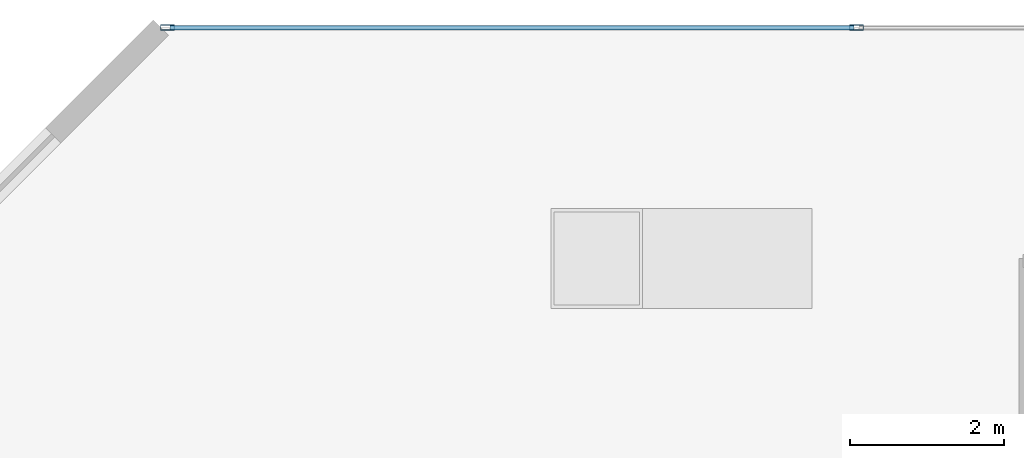
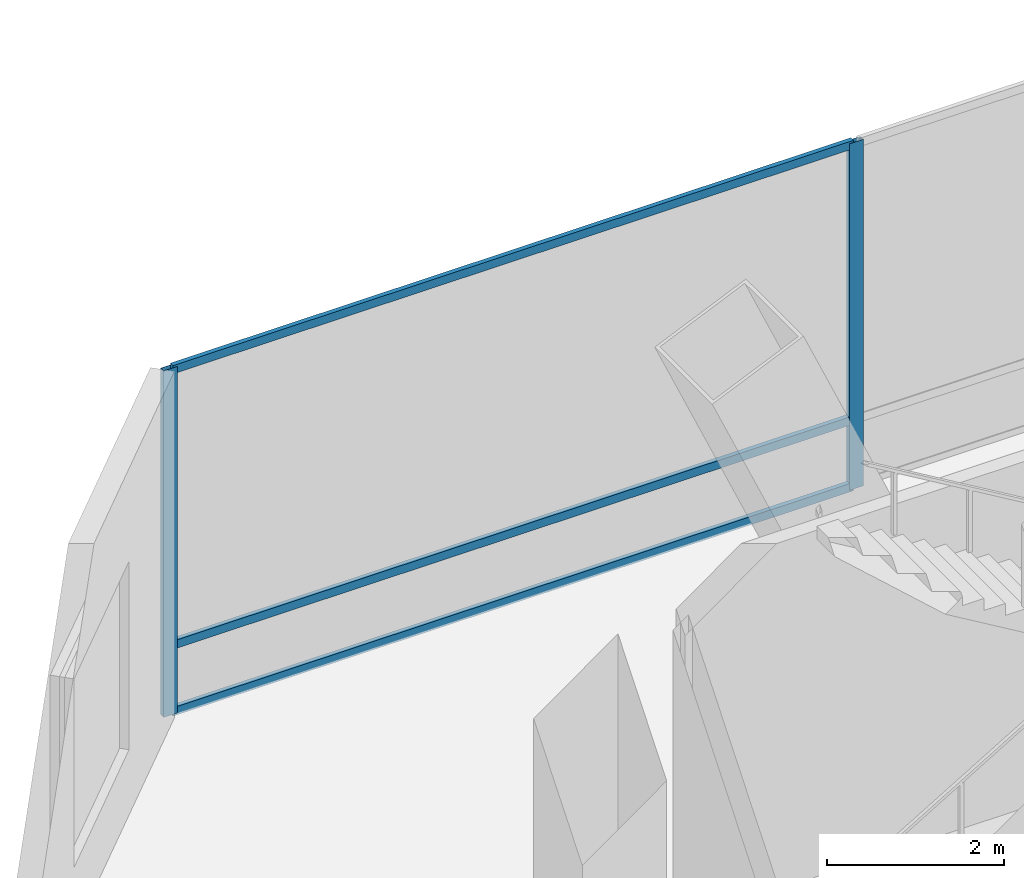
# One storey, part 19 of 42: 5 members, 1 element without a shape of its own.
"""IFC4 building model written with IfcOpenShell, lengths in metres."""

from ifc_helpers import new_model, si_unit, direction, frame, origin, origin_2d, place, context, subcontext, project, spatial, hollow_rectangle, extrude, material, layer, layer_set, material_profile, profile_set, type_object, element, aggregate, save


model = new_model("IFC4")

# Units and contexts
model_context = context("Model", 3, precision=1e-05, world=origin(), true_north=direction((0.0, 1.0)))
body_context = subcontext(model_context, "Body", "Model", "MODEL_VIEW")
ifc_project = project(units=[si_unit("LENGTHUNIT", "METRE"), si_unit("AREAUNIT", "SQUARE_METRE"), si_unit("VOLUMEUNIT", "CUBIC_METRE"), si_unit("PLANEANGLEUNIT", "RADIAN"), si_unit("MASSUNIT", "GRAM", prefix="KILO")], contexts=[model_context])

# Site, building, storey
site_placement = place(None, origin())
site = spatial("IfcSite", under=ifc_project, at=site_placement, CompositionType="ELEMENT")
building_placement = place(site_placement, origin())
building = spatial("IfcBuilding", under=site, at=building_placement, Name="Qianvela Tower", CompositionType="ELEMENT")
storey_placement = place(building_placement, frame((0.0, 0.0, 6.0)))
storey = spatial("IfcBuildingStorey", under=building, at=storey_placement, Name="L01", CompositionType="ELEMENT", Elevation=6.0)

# Curtain wall, members
ifc_material_1 = material(Name="Anodised Architectural Aluminium and Low-E Glass", Category="aluminium")
ifc_layer = layer(ifc_material_1, 0.179931640625)
ifc_layer_set = layer_set([ifc_layer], Name="Anodised Architectural Aluminium and Low-E Glass")
curtain_wall_type = type_object("IfcCurtainWallType", Name="CW-COMMONS", PredefinedType="USERDEFINED", material=ifc_layer_set)
curtain_wall_placement = place(storey_placement, origin())
curtain_wall = element("IfcCurtainWall", 1, at=curtain_wall_placement, inside=storey, type_object=curtain_wall_type, Name="L01 CW-COMMONS Curtain Wall 05", ObjectType="CURTAIN_WALL_SYSTEM", PredefinedType="USERDEFINED")
ifc_material_2 = material(Name="Anodised Architectural Aluminium 6063-T6", Category="aluminium")
ifc_material_profile_1 = material_profile(ifc_material_2, hollow_rectangle(XDim=0.070068359375, YDim=0.179931640625, WallThickness=0.0048828125, at=origin_2d()), Name="ALU-MULL-70x180")
ifc_profile_set_1 = profile_set([ifc_material_profile_1], Name="Anodised Architectural Aluminium 6063-T6")
member_type_1 = type_object("IfcMemberType", Name="CW-COMMONS-MULL", PredefinedType="MULLION", material=ifc_profile_set_1)
member_1_placement = place(storey_placement, frame((15.03564453125, 50.5, 0.0), z_axis=(0.0, 0.0, 1.0), x_axis=(0.0, -1.0, 0.0)))
member_1 = element("IfcMember", 2, at=member_1_placement, type_object=member_type_1, Name="CW-2 mullion 7", PredefinedType="MULLION", context=body_context, shape_type="SweptSolid", body=[
    extrude(hollow_rectangle(XDim=0.070068359375, YDim=0.179931640625, WallThickness=0.0048828125, at=origin_2d()), origin(), (0.0, 0.0, 1.0), 4.780029296875),
])
member_2_placement = place(storey_placement, frame((6.0849609375, 50.5, 0.0), z_axis=(0.0, 0.0, 1.0), x_axis=(0.0, -1.0, 0.0)))
member_2 = element("IfcMember", 3, at=member_2_placement, type_object=member_type_1, Name="CW-2 mullion 8", PredefinedType="MULLION", context=body_context, shape_type="SweptSolid", body=[
    extrude(hollow_rectangle(XDim=0.070068359375, YDim=0.179931640625, WallThickness=0.0048828125, at=origin_2d()), origin(), (0.0, 0.0, 1.0), 4.780029296875),
])
ifc_material_3 = material(Name="Anodised Architectural Aluminium 6063-T6", Category="aluminium")
ifc_material_profile_2 = material_profile(ifc_material_3, hollow_rectangle(XDim=0.06005859375, YDim=0.114990234375, WallThickness=0.00390625, at=origin_2d()), Name="ALU-TRAN-60x115")
ifc_profile_set_2 = profile_set([ifc_material_profile_2], Name="Anodised Architectural Aluminium 6063-T6")
member_type_2 = type_object("IfcMemberType", Name="CW-COMMONS-TRAN", PredefinedType="USERDEFINED", material=ifc_profile_set_2)
member_3_placement = place(storey_placement, frame((15.000732421875, 50.5, 0.030029296875), z_axis=(-1.0, 0.0, 0.0), x_axis=(0.0, -1.0, 0.0)))
member_3 = element("IfcMember", 4, at=member_3_placement, type_object=member_type_2, Name="CW-2 transom 7.1", ObjectType="TRANSOM", PredefinedType="USERDEFINED", context=body_context, shape_type="SweptSolid", body=[
    extrude(hollow_rectangle(XDim=0.06005859375, YDim=0.114990234375, WallThickness=0.00390625, at=origin_2d()), origin(), (0.0, 0.0, 1.0), 8.880615234375),
])
member_4_placement = place(storey_placement, frame((15.000732421875, 50.5, 0.949951171875), z_axis=(-1.0, 0.0, 0.0), x_axis=(0.0, -1.0, 0.0)))
member_4 = element("IfcMember", 5, at=member_4_placement, type_object=member_type_2, Name="CW-2 transom 7.2", ObjectType="TRANSOM", PredefinedType="USERDEFINED", context=body_context, shape_type="SweptSolid", body=[
    extrude(hollow_rectangle(XDim=0.06005859375, YDim=0.114990234375, WallThickness=0.00390625, at=origin_2d()), origin(), (0.0, 0.0, 1.0), 8.880615234375),
])
member_5_placement = place(storey_placement, frame((15.000732421875, 50.5, 4.75), z_axis=(-1.0, 0.0, 0.0), x_axis=(0.0, -1.0, 0.0)))
member_5 = element("IfcMember", 6, at=member_5_placement, type_object=member_type_2, Name="CW-2 transom 7.3", ObjectType="TRANSOM", PredefinedType="USERDEFINED", context=body_context, shape_type="SweptSolid", body=[
    extrude(hollow_rectangle(XDim=0.06005859375, YDim=0.114990234375, WallThickness=0.00390625, at=origin_2d()), origin(), (0.0, 0.0, 1.0), 8.880615234375),
])
aggregate(curtain_wall, [member_1, member_2, member_3, member_4, member_5])

save(model, "model.ifc")
